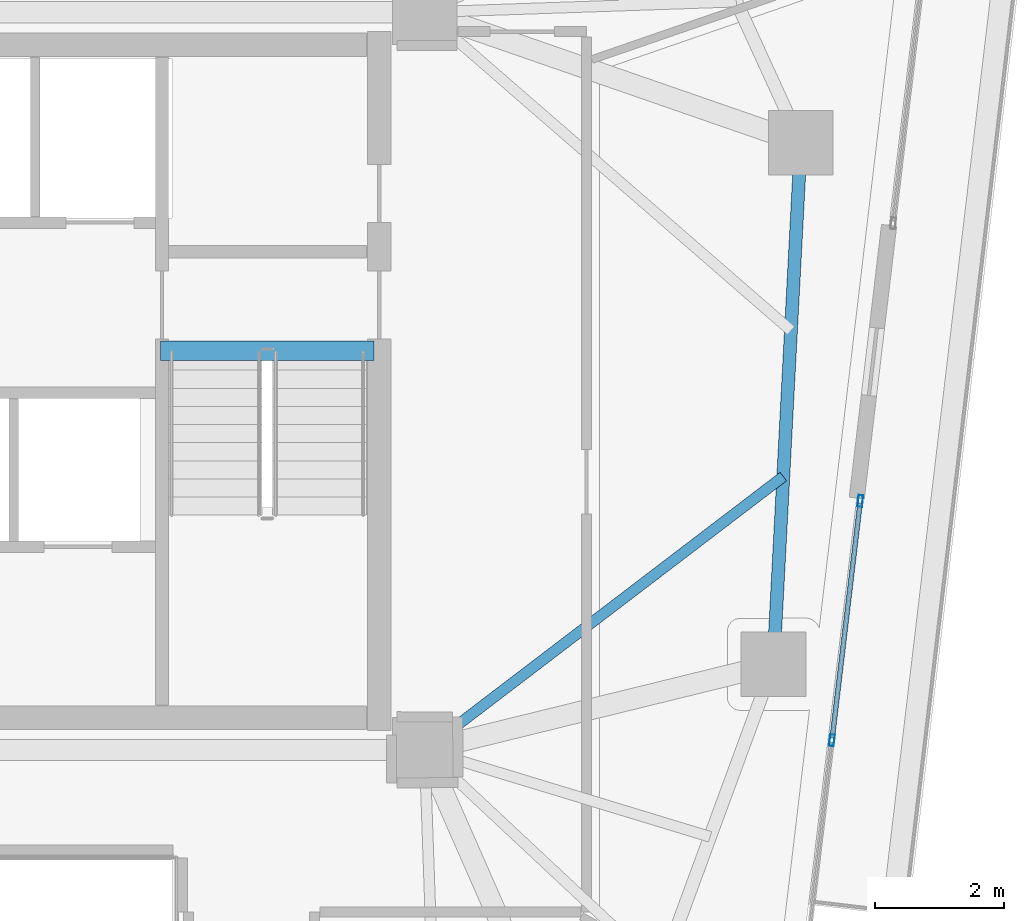
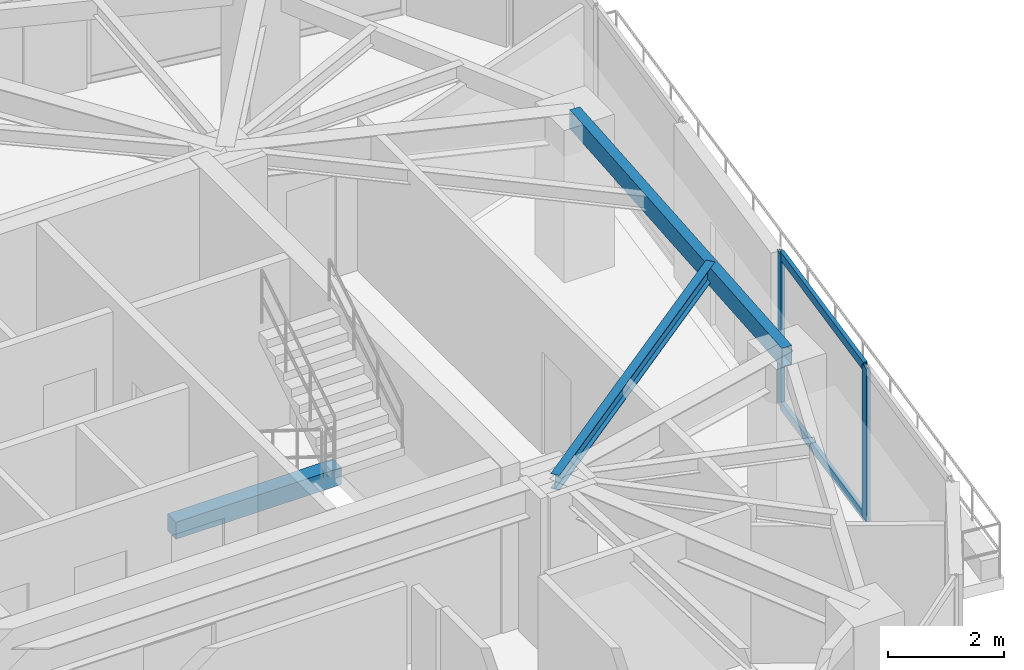
# One storey, part 11 of 22: 4 members, 3 beams, 1 element without a shape of its own.
"""IFC4 building model written with IfcOpenShell, lengths in metres."""

from ifc_helpers import new_model, si_unit, direction, frame, origin, origin_2d, place, context, subcontext, project, spatial, rectangle, hollow_rectangle, i_section, extrude, source, transform, mapped, material, layer, layer_set, material_profile, profile_set, type_object, type_shapes, element, aggregate, save


model = new_model("IFC4")

# Units and contexts
model_context = context("Model", 3, precision=1e-05, world=origin(), true_north=direction((0.0, 1.0)))
body_context = subcontext(model_context, "Body", "Model", "MODEL_VIEW")
ifc_project = project(units=[si_unit("LENGTHUNIT", "METRE"), si_unit("AREAUNIT", "SQUARE_METRE"), si_unit("VOLUMEUNIT", "CUBIC_METRE"), si_unit("PLANEANGLEUNIT", "RADIAN"), si_unit("MASSUNIT", "GRAM", prefix="KILO")], contexts=[model_context])

# Site, building, storey
site_placement = place(None, origin())
site = spatial("IfcSite", under=ifc_project, at=site_placement, CompositionType="ELEMENT")
building_placement = place(site_placement, origin())
building = spatial("IfcBuilding", under=site, at=building_placement, Name="Talar Marvaseh", CompositionType="ELEMENT")
storey_placement = place(building_placement, frame((0.0, 0.0, 229.199951171875)))
storey = spatial("IfcBuildingStorey", under=building, at=storey_placement, Name="L60", CompositionType="ELEMENT", Elevation=229.199951171875)

# Beams
ifc_material_1 = material(Name="Concrete C40/50", Category="concrete")
ifc_material_profile_1 = material_profile(ifc_material_1, rectangle(XDim=0.300048828125, YDim=0.360107421875, at=origin_2d()), Name="RC300x360")
ifc_profile_set_1 = profile_set([ifc_material_profile_1], Name="Concrete C40/50")
beam_type_1 = type_object("IfcBeamType", Name="Concrete Stair Landing Trimmer Beam RC300x360", PredefinedType="SPANDREL", material=ifc_profile_set_1)
beam_1_placement = place(storey_placement, frame((29.219970703125, 31.669921875, -0.179931640625), z_axis=(1.0, 0.0, 0.0), x_axis=(0.0, 1.0, 0.0)))
element("IfcBeam", 1, at=beam_1_placement, inside=storey, type_object=beam_type_1, Name="L60 ST-2 Stair Nosing Trimmer Beam", PredefinedType="SPANDREL", context=body_context, shape_type="SweptSolid", body=[
    extrude(rectangle(XDim=0.300048828125, YDim=0.360107421875, at=origin_2d()), origin(), (0.0, 0.0, 1.0), 3.300048828125),
])
ifc_material_2 = material(Name="Steel S355", Category="steel")
ifc_material_profile_2 = material_profile(ifc_material_2, hollow_rectangle(XDim=0.199951171875, YDim=0.39990234375, WallThickness=0.013916015625, at=origin_2d()), Name="RHS400x200x14")
ifc_profile_set_2 = profile_set([ifc_material_profile_2], Name="Steel S355")
beam_type_2 = type_object("IfcBeamType", Name="Zone 3 Perimeter Spandrel Beam RHS400x200x14", PredefinedType="SPANDREL", material=ifc_profile_set_2)
beam_2_placement = place(storey_placement, frame((39.113037109375, 34.884033203125, 3.030029296875), z_axis=(-0.052541369293, -0.998618748328, 0.0), x_axis=(0.998618748328, -0.052541369293, 0.0)))
element("IfcBeam", 2, at=beam_2_placement, inside=storey, type_object=beam_type_2, Name="L60 Zone 3 Perimeter Spandrel Beam RHS400x200x14", PredefinedType="SPANDREL", context=body_context, shape_type="SweptSolid", body=[
    extrude(hollow_rectangle(XDim=0.199951171875, YDim=0.39990234375, WallThickness=0.013916015625, at=origin_2d()), origin(), (0.0, 0.0, 1.0), 8.0712890625),
])
ifc_material_profile_3 = material_profile(ifc_material_2, i_section(OverallWidth=0.166015625, OverallDepth=0.31298828125, WebThickness=0.006591796875, FlangeThickness=0.01123046875, at=origin_2d()), Name="W310x45")
ifc_profile_set_3 = profile_set([ifc_material_profile_3], Name="Steel S355")
beam_type_3 = type_object("IfcBeamType", Name="Zone 3 Secondary Floor Joist W310x45", PredefinedType="JOIST", material=ifc_profile_set_3)
beam_3_placement = place(storey_placement, frame((38.841552734375, 29.7255859375, 3.073486328125), z_axis=(-0.795190393297, -0.606359825852, 0.0), x_axis=(0.606359825852, -0.795190393297, 0.0)))
element("IfcBeam", 3, at=beam_3_placement, inside=storey, type_object=beam_type_3, Name="L60 Zone 3 Secondary Floor Joist W310x45", PredefinedType="JOIST", context=body_context, shape_type="SweptSolid", body=[
    extrude(i_section(OverallWidth=0.166015625, OverallDepth=0.31298828125, WebThickness=0.006591796875, FlangeThickness=0.01123046875, at=origin_2d()), origin(), (0.0, 0.0, 1.0), 6.96875),
])

# Curtain wall, members
ifc_material_3 = material(Name="Architectural Aluminium", Category="aluminium")
ifc_layer = layer(ifc_material_3, 0.18994140625)
ifc_layer_set = layer_set([ifc_layer], Name="Architectural Aluminium")
curtain_wall_type = type_object("IfcCurtainWallType", Name="Unitised Solar Atelier Curtain Wall Z3", PredefinedType="NOTDEFINED", material=ifc_layer_set)
curtain_wall_placement = place(storey_placement, origin())
curtain_wall = element("IfcCurtainWall", 4, at=curtain_wall_placement, inside=storey, type_object=curtain_wall_type, Name="L60 Unitised Solar Atelier Curtain Wall Z3", PredefinedType="NOTDEFINED")
ifc_material_profile_4 = material_profile(ifc_material_3, hollow_rectangle(XDim=0.074951171875, YDim=0.179931640625, WallThickness=0.0048828125, at=origin_2d()), Name="RHS180x75x5")
ifc_profile_set_4 = profile_set([ifc_material_profile_4], Name="Architectural Aluminium")
member_type_1 = type_object("IfcMemberType", Name="Unitised Curtain Wall Standard Mullion RHS180x75x5", PredefinedType="MULLION", material=ifc_profile_set_4)
shared_shape_1 = source(origin(), body_context, "Body", "SweptSolid", [
    extrude(hollow_rectangle(XDim=0.074951171875, YDim=0.179931640625, WallThickness=0.0048828125, at=origin_2d()), origin(), (0.0, 0.0, 1.0), 3.22998046875),
])
type_shapes(member_type_1, [shared_shape_1])
member_1_placement = place(storey_placement, frame((40.0322265625, 29.348876953125, 0.0), z_axis=(0.0, 0.0, 1.0), x_axis=(0.993050517361, -0.117688869355, 0.0)))
member_1 = element("IfcMember", 5, at=member_1_placement, type_object=member_type_1, Name="CW-Z3 mullion 1", PredefinedType="MULLION", context=body_context, shape_type="MappedRepresentation", body=[
    mapped(shared_shape_1, transform((0.0, 0.0, 0.0), x_axis=(1.0, 0.0, 0.0), y_axis=(0.0, 1.0, 0.0), z_axis=(0.0, 0.0, 1.0), scale=1.0)),
])
member_2_placement = place(storey_placement, frame((39.593994140625, 25.651123046875, 0.0), z_axis=(0.0, 0.0, 1.0), x_axis=(0.993050517361, -0.117688869355, 0.0)))
member_2 = element("IfcMember", 6, at=member_2_placement, type_object=member_type_1, Name="CW-Z3 mullion 2", PredefinedType="MULLION", context=body_context, shape_type="MappedRepresentation", body=[
    mapped(shared_shape_1, transform((0.0, 0.0, 0.0), x_axis=(1.0, 0.0, 0.0), y_axis=(0.0, 1.0, 0.0), z_axis=(0.0, 0.0, 1.0), scale=1.0)),
])
ifc_material_profile_5 = material_profile(ifc_material_3, hollow_rectangle(XDim=0.074951171875, YDim=0.179931640625, WallThickness=0.0048828125, at=origin_2d()), Name="RHS180x75x5")
ifc_profile_set_5 = profile_set([ifc_material_profile_5], Name="Architectural Aluminium")
member_type_2 = type_object("IfcMemberType", Name="Unitised Curtain Wall Transom RHS180x75x5", PredefinedType="USERDEFINED", material=ifc_profile_set_5)
shared_shape_2 = source(origin(), body_context, "Body", "SweptSolid", [
    extrude(hollow_rectangle(XDim=0.074951171875, YDim=0.179931640625, WallThickness=0.0048828125, at=origin_2d()), origin(), (0.0, 0.0, 1.0), 3.648681640625),
])
type_shapes(member_type_2, [shared_shape_2])
member_3_placement = place(storey_placement, frame((40.02783203125, 29.3115234375, 0.03759765625), z_axis=(-0.117699191972, -0.993049293947, 0.0), x_axis=(0.993049293947, -0.117699191972, 0.0)))
member_3 = element("IfcMember", 7, at=member_3_placement, type_object=member_type_2, Name="CW-Z3 transom 1.1", ObjectType="TRANSOM", PredefinedType="USERDEFINED", context=body_context, shape_type="MappedRepresentation", body=[
    mapped(shared_shape_2, transform((0.0, 0.0, 0.0), x_axis=(1.0, 0.0, 0.0), y_axis=(0.0, 1.0, 0.0), z_axis=(0.0, 0.0, 1.0), scale=1.0)),
])
member_4_placement = place(storey_placement, frame((40.02783203125, 29.3115234375, 3.192626953125), z_axis=(-0.117699191972, -0.993049293947, 0.0), x_axis=(0.993049293947, -0.117699191972, 0.0)))
member_4 = element("IfcMember", 8, at=member_4_placement, type_object=member_type_2, Name="CW-Z3 transom 1.2", ObjectType="TRANSOM", PredefinedType="USERDEFINED", context=body_context, shape_type="MappedRepresentation", body=[
    mapped(shared_shape_2, transform((0.0, 0.0, 0.0), x_axis=(1.0, 0.0, 0.0), y_axis=(0.0, 1.0, 0.0), z_axis=(0.0, 0.0, 1.0), scale=1.0)),
])
aggregate(curtain_wall, [member_1, member_2, member_3, member_4])

save(model, "model.ifc")
